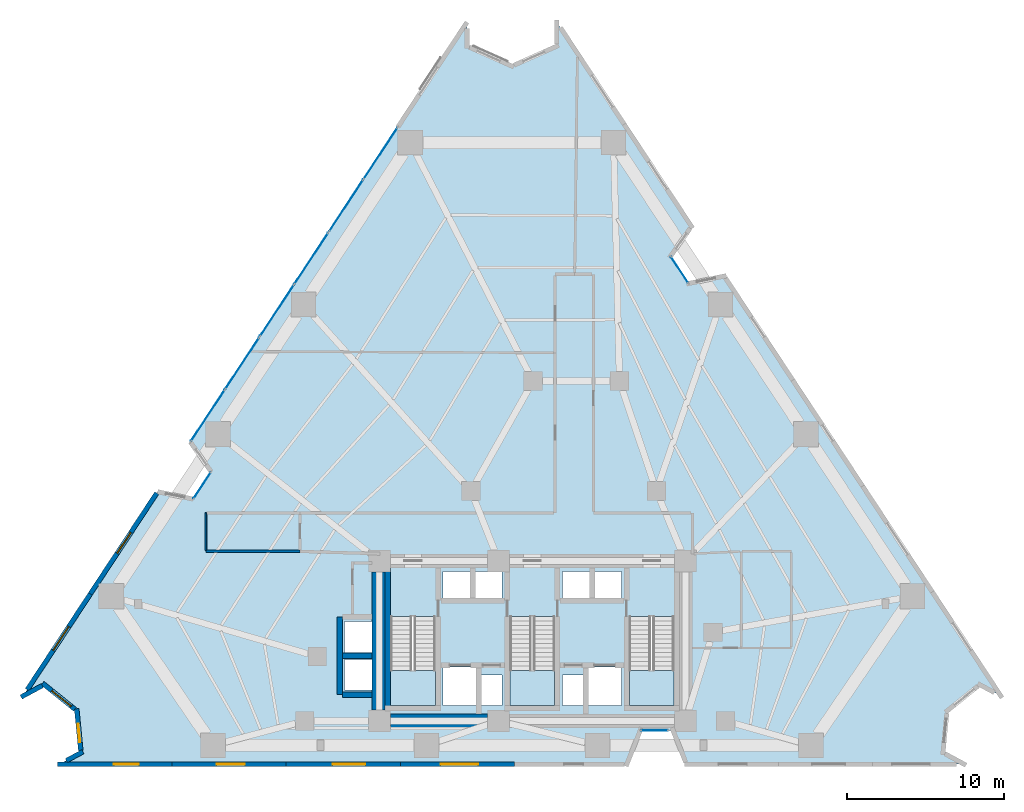
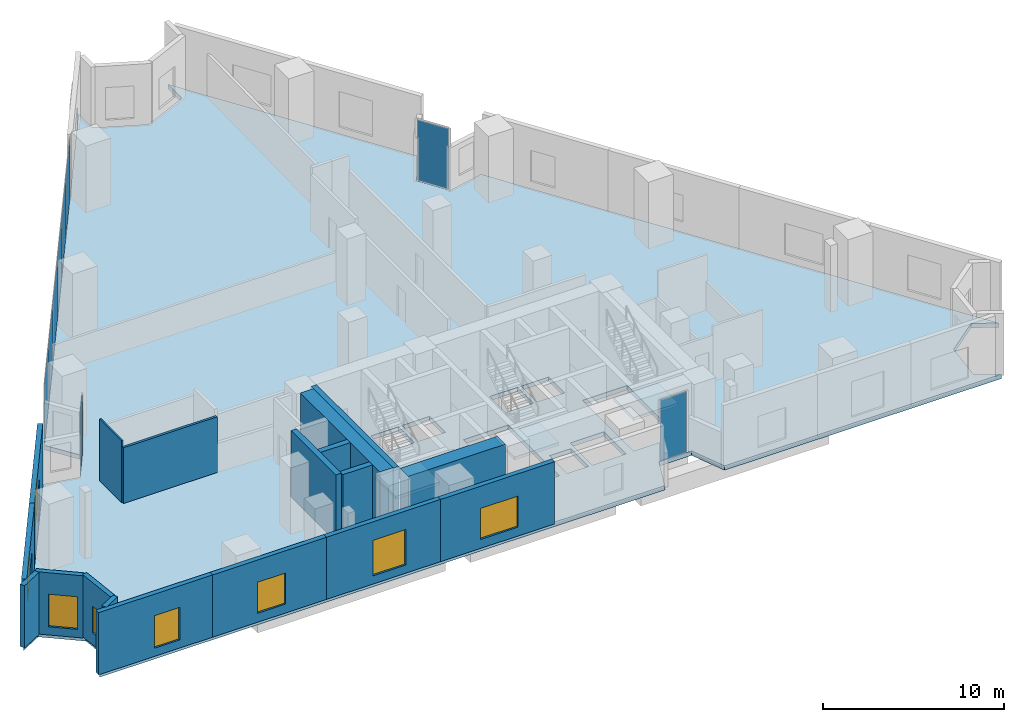
# One storey, part 6 of 11: 18 walls, 9 plates, 8 windows, 4 slabs, 8 openings, 9 elements without a shape of their own.
"""IFC4 building model written with IfcOpenShell, lengths in metres."""

from ifc_helpers import new_model, si_unit, direction, frame, frame_2d, origin, origin_2d, place, context, subcontext, project, spatial, polyline, rectangle, outline, extrude, material, layer, layer_set, type_object, element, fill, aggregate, save


model = new_model("IFC4")

# Units and contexts
model_context = context("Model", 3, precision=1e-05, world=origin(), true_north=direction((0.0, 1.0)))
body_context = subcontext(model_context, "Body", "Model", "MODEL_VIEW")
ifc_project = project(units=[si_unit("LENGTHUNIT", "METRE"), si_unit("AREAUNIT", "SQUARE_METRE"), si_unit("VOLUMEUNIT", "CUBIC_METRE"), si_unit("PLANEANGLEUNIT", "RADIAN"), si_unit("MASSUNIT", "GRAM", prefix="KILO")], contexts=[model_context])

# Site, building, storey
site_placement = place(None, origin())
site = spatial("IfcSite", under=ifc_project, at=site_placement, CompositionType="ELEMENT")
building_placement = place(site_placement, origin())
building = spatial("IfcBuilding", under=site, at=building_placement, Name="Almagre Mirador Tower", CompositionType="ELEMENT")
storey_placement = place(building_placement, frame((0.0, 0.0, 21.89990234375)))
storey = spatial("IfcBuildingStorey", under=building, at=storey_placement, Name="L04", CompositionType="ELEMENT", Elevation=21.89990234375)

# Curtain wall, plate
ifc_material_1 = material(Name="Black anodized aluminium", Category="aluminium")
ifc_layer_1 = layer(ifc_material_1, 0.169921875)
ifc_layer_set_1 = layer_set([ifc_layer_1], Name="Black anodized aluminium")
curtain_wall_type_1 = type_object("IfcCurtainWallType", Name="CW-CRS-SYS", PredefinedType="NOTDEFINED", material=ifc_layer_set_1)
curtain_wall_1_placement = place(storey_placement, origin())
curtain_wall_1 = element("IfcCurtainWall", 1, at=curtain_wall_1_placement, inside=storey, type_object=curtain_wall_type_1, Name="L04 vertical crease curtain wall 01", PredefinedType="NOTDEFINED")
ifc_material_2 = material(Name="Dark solar-control laminated hurricane glass", Category="glass")
ifc_layer_2 = layer(ifc_material_2, 0.028076171875)
ifc_layer_set_2 = layer_set([ifc_layer_2], Name="Dark solar-control laminated hurricane glass")
plate_type_1 = type_object("IfcPlateType", Name="PLT-GLZ-28", PredefinedType="CURTAIN_PANEL", material=ifc_layer_set_2)
plate_1_placement = place(storey_placement, frame((16.27099609375, 19.550537109375, 0.06005859375), z_axis=(0.0, 0.0, 1.0), x_axis=(0.550275453725, 0.83498318847, 0.0)))
plate_1 = element("IfcPlate", 2, at=plate_1_placement, type_object=plate_type_1, Name="CW-4 panel 1.1", PredefinedType="CURTAIN_PANEL", context=body_context, shape_type="SweptSolid", body=[
    extrude(rectangle(XDim=1.969970703125, YDim=0.028076171875, at=origin_2d()), origin(), (0.0, 0.0, 1.0), 4.080078125),
])
aggregate(curtain_wall_1, [plate_1])

curtain_wall_2_placement = place(storey_placement, origin())
curtain_wall_2 = element("IfcCurtainWall", 3, at=curtain_wall_2_placement, inside=storey, type_object=curtain_wall_type_1, Name="L04 vertical crease curtain wall 05", PredefinedType="NOTDEFINED")
plate_2_placement = place(storey_placement, frame((46.679931640625, 33.283447265625, 0.06005859375), z_axis=(0.0, 0.0, 1.0), x_axis=(0.550275453725, -0.83498318847, 0.0)))
plate_2 = element("IfcPlate", 4, at=plate_2_placement, type_object=plate_type_1, Name="CW-4 panel 1.1", PredefinedType="CURTAIN_PANEL", context=body_context, shape_type="SweptSolid", body=[
    extrude(rectangle(XDim=1.969970703125, YDim=0.028076171875, at=origin_2d()), origin(), (0.0, 0.0, 1.0), 4.080078125),
])
aggregate(curtain_wall_2, [plate_2])

curtain_wall_3_placement = place(storey_placement, origin())
curtain_wall_3 = element("IfcCurtainWall", 5, at=curtain_wall_3_placement, inside=storey, type_object=curtain_wall_type_1, Name="L04 vertical crease curtain wall 06", PredefinedType="NOTDEFINED")
plate_3_placement = place(storey_placement, frame((45.08056640625, 3.949951171875, 0.06005859375), z_axis=(0.0, 0.0, 1.0), x_axis=(-1.0, 0.0, 0.0)))
plate_3 = element("IfcPlate", 6, at=plate_3_placement, type_object=plate_type_1, Name="CW-4 panel 1.1", PredefinedType="CURTAIN_PANEL", context=body_context, shape_type="SweptSolid", body=[
    extrude(rectangle(XDim=1.698974609375, YDim=0.028076171875, at=origin_2d()), origin(), (0.0, 0.0, 1.0), 4.080078125),
])
aggregate(curtain_wall_3, [plate_3])

# Curtain wall, plates
ifc_material_3 = material(Name="Black anodized aluminium", Category="aluminium")
ifc_layer_3 = layer(ifc_material_3, 0.219970703125)
ifc_layer_set_3 = layer_set([ifc_layer_3], Name="Black anodized aluminium")
curtain_wall_type_2 = type_object("IfcCurtainWallType", Name="CW-POD-SYS", PredefinedType="NOTDEFINED", material=ifc_layer_set_3)
curtain_wall_4_placement = place(storey_placement, origin())
curtain_wall_4 = element("IfcCurtainWall", 7, at=curtain_wall_4_placement, inside=storey, type_object=curtain_wall_type_2, Name="L04 curtain wall run 02", PredefinedType="NOTDEFINED")
ifc_material_4 = material(Name="Dark solar-control laminated hurricane glass", Category="glass")
ifc_layer_4 = layer(ifc_material_4, 0.035888671875)
ifc_layer_set_4 = layer_set([ifc_layer_4], Name="Dark solar-control laminated hurricane glass")
plate_type_2 = type_object("IfcPlateType", Name="PLT-GLZ-36", PredefinedType="CURTAIN_PANEL", material=ifc_layer_set_4)
plate_4_placement = place(storey_placement, frame((16.6318359375, 24.005859375, 0.06494140625), z_axis=(0.0, 0.0, 1.0), x_axis=(0.550209445439, 0.835026685891, 0.0)))
plate_4 = element("IfcPlate", 8, at=plate_4_placement, type_object=plate_type_2, Name="CW-1 panel 1.1", PredefinedType="CURTAIN_PANEL", context=body_context, shape_type="SweptSolid", body=[
    extrude(rectangle(XDim=3.8974609375, YDim=0.035888671875, at=origin_2d()), origin(), (0.0, 0.0, 1.0), 4.070068359375),
])
plate_5_placement = place(storey_placement, frame((18.814697265625, 27.31884765625, 0.06494140625), z_axis=(0.0, 0.0, 1.0), x_axis=(0.550209445439, 0.835026685891, 0.0)))
plate_5 = element("IfcPlate", 9, at=plate_5_placement, type_object=plate_type_2, Name="CW-1 panel 2.1", PredefinedType="CURTAIN_PANEL", context=body_context, shape_type="SweptSolid", body=[
    extrude(rectangle(XDim=3.8974609375, YDim=0.035888671875, at=origin_2d()), origin(), (0.0, 0.0, 1.0), 4.070068359375),
])
aggregate(curtain_wall_4, [plate_4, plate_5])

curtain_wall_5_placement = place(storey_placement, origin())
curtain_wall_5 = element("IfcCurtainWall", 10, at=curtain_wall_5_placement, inside=storey, type_object=curtain_wall_type_2, Name="L04 curtain wall run 03", PredefinedType="NOTDEFINED")
plate_6_placement = place(storey_placement, frame((21.0361328125, 30.690185546875, 0.06494140625), z_axis=(0.0, 0.0, 1.0), x_axis=(0.550209445439, 0.835026685891, 0.0)))
plate_6 = element("IfcPlate", 11, at=plate_6_placement, type_object=plate_type_2, Name="CW-1 panel 1.1", PredefinedType="CURTAIN_PANEL", context=body_context, shape_type="SweptSolid", body=[
    extrude(rectangle(XDim=3.8974609375, YDim=0.035888671875, at=origin_2d()), origin(), (0.0, 0.0, 1.0), 4.070068359375),
])
plate_7_placement = place(storey_placement, frame((23.21923828125, 34.003173828125, 0.06494140625), z_axis=(0.0, 0.0, 1.0), x_axis=(0.550209445439, 0.835026685891, 0.0)))
plate_7 = element("IfcPlate", 12, at=plate_7_placement, type_object=plate_type_2, Name="CW-1 panel 2.1", PredefinedType="CURTAIN_PANEL", context=body_context, shape_type="SweptSolid", body=[
    extrude(rectangle(XDim=3.8974609375, YDim=0.035888671875, at=origin_2d()), origin(), (0.0, 0.0, 1.0), 4.070068359375),
])
aggregate(curtain_wall_5, [plate_6, plate_7])

curtain_wall_6_placement = place(storey_placement, origin())
curtain_wall_6 = element("IfcCurtainWall", 13, at=curtain_wall_6_placement, inside=storey, type_object=curtain_wall_type_2, Name="L04 curtain wall run 04", PredefinedType="NOTDEFINED")
plate_8_placement = place(storey_placement, frame((25.440673828125, 37.374755859375, 0.06494140625), z_axis=(0.0, 0.0, 1.0), x_axis=(0.550209445439, 0.835026685891, 0.0)))
plate_8 = element("IfcPlate", 14, at=plate_8_placement, type_object=plate_type_2, Name="CW-1 panel 1.1", PredefinedType="CURTAIN_PANEL", context=body_context, shape_type="SweptSolid", body=[
    extrude(rectangle(XDim=3.8974609375, YDim=0.035888671875, at=origin_2d()), origin(), (0.0, 0.0, 1.0), 4.070068359375),
])
plate_9_placement = place(storey_placement, frame((27.623779296875, 40.687744140625, 0.06494140625), z_axis=(0.0, 0.0, 1.0), x_axis=(0.550209445439, 0.835026685891, 0.0)))
plate_9 = element("IfcPlate", 15, at=plate_9_placement, type_object=plate_type_2, Name="CW-1 panel 2.1", PredefinedType="CURTAIN_PANEL", context=body_context, shape_type="SweptSolid", body=[
    extrude(rectangle(XDim=3.8974609375, YDim=0.035888671875, at=origin_2d()), origin(), (0.0, 0.0, 1.0), 4.070068359375),
])
aggregate(curtain_wall_6, [plate_8, plate_9])

# Slab
ifc_material_5 = material(Name="Concrete C45/55", Category="concrete")
ifc_layer_5 = layer(ifc_material_5, 0.300048828125)
ifc_layer_set_5 = layer_set([ifc_layer_5], Name="Concrete C45/55")
slab_type_1 = type_object("IfcSlabType", Name="SLB-FLR-300", PredefinedType="FLOOR", material=ifc_layer_set_5)
slab_1_placement = place(storey_placement, frame((0.0, 0.0, -0.2998046875)))
element("IfcSlab", 16, at=slab_1_placement, inside=storey, type_object=slab_type_1, Name="L04 structural floor slab", PredefinedType="FLOOR", context=body_context, shape_type="SweptSolid", body=[
    extrude(outline(polyline([(4.861083984375, 6.14208984375), (6.2080078125, 6.867919921875), (8.2900390625, 5.18798828125), (8.547119140625, 2.52587890625), (7.199951171875, 1.800048828125), (43.31591796875, 1.800048828125), (44.1708984375, 3.949951171875), (46.260986328125, 3.949951171875), (47.115966796875, 1.800048828125), (64.800048828125, 1.800048828125), (63.452880859375, 2.52587890625), (63.7099609375, 5.18798828125), (65.7919921875, 6.867919921875), (67.138916015625, 6.14208984375), (49.52099609375, 32.8798828125), (47.2548828125, 32.410888671875), (46.10498046875, 34.156005859375), (47.429931640625, 36.052978515625), (38.861083984375, 49.05810546875), (38.861083984375, 47.528076171875), (36.0, 46.256103515625), (33.138916015625, 47.528076171875), (33.138916015625, 49.05810546875), (15.52099609375, 22.320068359375), (16.845947265625, 20.423095703125), (15.696044921875, 18.677978515625), (13.429931640625, 19.14697265625), (4.861083984375, 6.14208984375)]), holes=[polyline([(43.47509765625, 11.196044921875), (46.324951171875, 11.196044921875), (46.324951171875, 5.550048828125), (43.47509765625, 5.550048828125), (43.47509765625, 11.196044921875)]), polyline([(40.820068359375, 5.52001953125), (40.820068359375, 7.97998046875), (42.97998046875, 7.97998046875), (42.97998046875, 5.52001953125), (40.820068359375, 5.52001953125)]), polyline([(41.219970703125, 12.320068359375), (41.219970703125, 14.080078125), (42.97998046875, 14.080078125), (42.97998046875, 12.320068359375), (41.219970703125, 12.320068359375)]), polyline([(39.219970703125, 12.320068359375), (39.219970703125, 14.080078125), (40.97998046875, 14.080078125), (40.97998046875, 12.320068359375), (39.219970703125, 12.320068359375)]), polyline([(39.219970703125, 5.52001953125), (39.219970703125, 7.47998046875), (40.580078125, 7.47998046875), (40.580078125, 5.52001953125), (39.219970703125, 5.52001953125)]), polyline([(35.875, 11.196044921875), (38.72509765625, 11.196044921875), (38.72509765625, 5.550048828125), (35.875, 5.550048828125), (35.875, 11.196044921875)]), polyline([(35.3798828125, 5.52001953125), (34.02001953125, 5.52001953125), (34.02001953125, 7.47998046875), (35.3798828125, 7.47998046875), (35.3798828125, 5.52001953125)]), polyline([(35.3798828125, 12.320068359375), (33.6201171875, 12.320068359375), (33.6201171875, 14.080078125), (35.3798828125, 14.080078125), (35.3798828125, 12.320068359375)]), polyline([(31.6201171875, 5.52001953125), (31.6201171875, 7.97998046875), (33.780029296875, 7.97998046875), (33.780029296875, 5.52001953125), (31.6201171875, 5.52001953125)]), polyline([(31.6201171875, 12.320068359375), (31.6201171875, 14.080078125), (33.3798828125, 14.080078125), (33.3798828125, 12.320068359375), (31.6201171875, 12.320068359375)]), polyline([(28.27490234375, 5.550048828125), (28.27490234375, 11.196044921875), (31.125, 11.196044921875), (31.125, 5.550048828125), (28.27490234375, 5.550048828125)]), polyline([(25.320068359375, 6.52001953125), (25.320068359375, 8.47998046875), (27.3798828125, 8.47998046875), (27.3798828125, 6.52001953125), (25.320068359375, 6.52001953125)]), polyline([(25.320068359375, 8.919921875), (25.320068359375, 10.8798828125), (27.3798828125, 10.8798828125), (27.3798828125, 8.919921875), (25.320068359375, 8.919921875)])]), origin(), (0.0, 0.0, 1.0), 0.2998046875),
])

# Stair, slab
ifc_material_6 = material(Name="Concrete C45/55", Category="concrete")
stair_type = type_object("IfcStairType", Name="STR-DL-4500", PredefinedType="HALF_TURN_STAIR", material=ifc_material_6)
stair_1_placement = place(storey_placement, origin())
stair_1 = element("IfcStair", 17, at=stair_1_placement, inside=storey, type_object=stair_type, Name="L04 Protected exit stair ST-1", PredefinedType="HALF_TURN_STAIR")
ifc_material_7 = material(Name="Concrete C45/55", Category="concrete")
ifc_layer_6 = layer(ifc_material_7, 0.199951171875)
ifc_layer_set_6 = layer_set([ifc_layer_6], Name="Concrete C45/55")
slab_type_2 = type_object("IfcSlabType", Name="SLB-LND-200", PredefinedType="LANDING", material=ifc_layer_set_6)
slab_2_placement = place(storey_placement, frame((0.0, 0.0, 2.050048828125)))
slab_2 = element("IfcSlab", 18, at=slab_2_placement, type_object=slab_type_2, Name="ST-1 landing 1", PredefinedType="LANDING", context=body_context, shape_type="SweptSolid", body=[
    extrude(outline(polyline([(28.27490234375, 7.780029296875), (28.27490234375, 5.550048828125), (31.125, 5.550048828125), (31.125, 7.780029296875), (28.27490234375, 7.780029296875)])), origin(), (0.0, 0.0, 1.0), 0.199951171875),
])
aggregate(stair_1, [slab_2])

stair_2_placement = place(storey_placement, origin())
stair_2 = element("IfcStair", 19, at=stair_2_placement, inside=storey, type_object=stair_type, Name="L04 Protected exit stair ST-2", PredefinedType="HALF_TURN_STAIR")
slab_3_placement = place(storey_placement, frame((0.0, 0.0, 2.050048828125)))
slab_3 = element("IfcSlab", 20, at=slab_3_placement, type_object=slab_type_2, Name="ST-2 landing 1", PredefinedType="LANDING", context=body_context, shape_type="SweptSolid", body=[
    extrude(outline(polyline([(35.875, 7.780029296875), (35.875, 5.550048828125), (38.72509765625, 5.550048828125), (38.72509765625, 7.780029296875), (35.875, 7.780029296875)])), origin(), (0.0, 0.0, 1.0), 0.199951171875),
])
aggregate(stair_2, [slab_3])

stair_3_placement = place(storey_placement, origin())
stair_3 = element("IfcStair", 21, at=stair_3_placement, inside=storey, type_object=stair_type, Name="L04 Protected exit stair ST-3", PredefinedType="HALF_TURN_STAIR")
slab_4_placement = place(storey_placement, frame((0.0, 0.0, 2.050048828125)))
slab_4 = element("IfcSlab", 22, at=slab_4_placement, type_object=slab_type_2, Name="ST-3 landing 1", PredefinedType="LANDING", context=body_context, shape_type="SweptSolid", body=[
    extrude(outline(polyline([(43.47509765625, 7.780029296875), (43.47509765625, 5.550048828125), (46.324951171875, 5.550048828125), (46.324951171875, 7.780029296875), (43.47509765625, 7.780029296875)])), origin(), (0.0, 0.0, 1.0), 0.199951171875),
])
aggregate(stair_3, [slab_4])

# Wall, opening, window
ifc_material_8 = material(Name="Precast concrete C50/60", Category="concrete")
ifc_layer_7 = layer(ifc_material_8, 0.300048828125)
ifc_layer_set_7 = layer_set([ifc_layer_7], Name="Precast concrete C50/60")
wall_type_1 = type_object("IfcWallType", Name="WAL-EXT-300", PredefinedType="SOLIDWALL", material=ifc_layer_set_7)
wall_1_placement = place(storey_placement, frame((36.1767578125, 1.800048828125, 0.0), z_axis=(0.0, 0.0, 1.0), x_axis=(-1.0, 0.0, 0.0)))
wall_1 = element("IfcWall", 23, at=wall_1_placement, inside=storey, type_object=wall_type_1, Name="L04 expressed almagre precast frame wall 26", PredefinedType="SOLIDWALL", context=body_context, shape_type="SweptSolid", body=[
    extrude(rectangle(XDim=7.279052734375, YDim=0.300048828125, at=frame_2d((3.6396484375, 0.0))), origin(), (0.0, 0.0, 1.0), 4.2001953125),
])
opening_1_placement = place(wall_1_placement, frame((2.324951171875, 0.0, 0.60009765625)))
opening_1 = element("IfcOpeningElement", 24, at=opening_1_placement, cuts=wall_1, Name="Opening WN-02", PredefinedType="OPENING", context=body_context, shape_type="SweptSolid", body=[
    extrude(rectangle(XDim=2.39990234375, YDim=2.10009765625, at=frame_2d((1.199951171875, 1.050048828125))), frame((0.0, 0.159902, 0.0), z_axis=(0.0, -1.0, 0.0), x_axis=(1.0, 0.0, 0.0)), (0.0, 0.0, 1.0), 0.320049),
])
ifc_material_9 = material(Name="Dark solar-control laminated hurricane glass", Category="glass")
window_type_1 = type_object("IfcWindowType", Name="WIN-2400X2100", PartitioningType="TRIPLE_PANEL_VERTICAL", PredefinedType="WINDOW", material=ifc_material_9)
window_1_placement = place(opening_1_placement, origin())
window_1 = element("IfcWindow", 25, at=window_1_placement, inside=storey, type_object=window_type_1, Name="L04 recessed hurricane window L04-LIB-2", OverallHeight=2.10009765625, OverallWidth=2.39990234375, PartitioningType="SINGLE_PANEL", PredefinedType="WINDOW", context=body_context, shape_type="SweptSolid", body=[
    extrude(rectangle(XDim=2.39990234375, YDim=2.10009765625, at=frame_2d((1.199951171875, 1.050048828125))), frame((0.0, 0.030029296875, 0.0), z_axis=(0.0, -1.0, 0.0), x_axis=(1.0, 0.0, 0.0)), (0.0, 0.0, 1.0), 0.06005859375),
])
fill(opening_1, window_1)

wall_2_placement = place(storey_placement, frame((28.897705078125, 1.800048828125, 0.0), z_axis=(0.0, 0.0, 1.0), x_axis=(-1.0, 0.0, 0.0)))
wall_2 = element("IfcWall", 26, at=wall_2_placement, inside=storey, type_object=wall_type_1, Name="L04 expressed almagre precast frame wall 27", PredefinedType="SOLIDWALL", context=body_context, shape_type="SweptSolid", body=[
    extrude(rectangle(XDim=7.279296875, YDim=0.300048828125, at=frame_2d((3.6396484375, 0.0))), origin(), (0.0, 0.0, 1.0), 4.2001953125),
])
opening_2_placement = place(wall_2_placement, frame((2.22509765625, 0.0, 0.550048828125)))
opening_2 = element("IfcOpeningElement", 27, at=opening_2_placement, cuts=wall_2, Name="Opening WN-05", PredefinedType="OPENING", context=body_context, shape_type="SweptSolid", body=[
    extrude(rectangle(XDim=2.10009765625, YDim=2.39990234375, at=frame_2d((1.050048828125, 1.199951171875))), frame((0.0, 0.159902, 0.0), z_axis=(0.0, -1.0, 0.0), x_axis=(1.0, 0.0, 0.0)), (0.0, 0.0, 1.0), 0.320049),
])
ifc_material_10 = material(Name="Dark solar-control laminated hurricane glass", Category="glass")
window_type_2 = type_object("IfcWindowType", Name="WIN-2100X2400", PartitioningType="DOUBLE_PANEL_VERTICAL", PredefinedType="WINDOW", material=ifc_material_10)
window_2_placement = place(opening_2_placement, origin())
window_2 = element("IfcWindow", 28, at=window_2_placement, inside=storey, type_object=window_type_2, Name="L04 recessed hurricane window L04-LIB-2", OverallHeight=2.39990234375, OverallWidth=2.10009765625, PartitioningType="SINGLE_PANEL", PredefinedType="WINDOW", context=body_context, shape_type="SweptSolid", body=[
    extrude(rectangle(XDim=2.10009765625, YDim=2.39990234375, at=frame_2d((1.050048828125, 1.199951171875))), frame((0.0, 0.030029296875, 0.0), z_axis=(0.0, -1.0, 0.0), x_axis=(1.0, 0.0, 0.0)), (0.0, 0.0, 1.0), 0.06005859375),
])
fill(opening_2, window_2)

wall_3_placement = place(storey_placement, frame((21.618408203125, 1.800048828125, 0.0), z_axis=(0.0, 0.0, 1.0), x_axis=(-1.0, 0.0, 0.0)))
wall_3 = element("IfcWall", 29, at=wall_3_placement, inside=storey, type_object=wall_type_1, Name="L04 expressed almagre precast frame wall 28", PredefinedType="SOLIDWALL", context=body_context, shape_type="SweptSolid", body=[
    extrude(rectangle(XDim=7.279296875, YDim=0.300048828125, at=frame_2d((3.6396484375, 0.0))), origin(), (0.0, 0.0, 1.0), 4.2001953125),
])
opening_3_placement = place(wall_3_placement, frame((2.625, 0.0, 0.60009765625)))
opening_3 = element("IfcOpeningElement", 30, at=opening_3_placement, cuts=wall_3, Name="Opening WN-01", PredefinedType="OPENING", context=body_context, shape_type="SweptSolid", body=[
    extrude(rectangle(XDim=1.800048828125, YDim=2.10009765625, at=frame_2d((0.89990234375, 1.050048828125))), frame((0.0, 0.159902, 0.0), z_axis=(0.0, -1.0, 0.0), x_axis=(1.0, 0.0, 0.0)), (0.0, 0.0, 1.0), 0.320049),
])
ifc_material_11 = material(Name="Dark solar-control laminated hurricane glass", Category="glass")
window_type_3 = type_object("IfcWindowType", Name="WIN-1800X2100", PartitioningType="DOUBLE_PANEL_VERTICAL", PredefinedType="WINDOW", material=ifc_material_11)
window_3_placement = place(opening_3_placement, origin())
window_3 = element("IfcWindow", 31, at=window_3_placement, inside=storey, type_object=window_type_3, Name="L04 recessed hurricane window L04-STE-3", OverallHeight=2.10009765625, OverallWidth=1.800048828125, PartitioningType="SINGLE_PANEL", PredefinedType="WINDOW", context=body_context, shape_type="SweptSolid", body=[
    extrude(rectangle(XDim=1.800048828125, YDim=2.10009765625, at=frame_2d((0.89990234375, 1.050048828125))), frame((0.0, 0.030029296875, 0.0), z_axis=(0.0, -1.0, 0.0), x_axis=(1.0, 0.0, 0.0)), (0.0, 0.0, 1.0), 0.06005859375),
])
fill(opening_3, window_3)

wall_4_placement = place(storey_placement, frame((14.339111328125, 1.800048828125, 0.0), z_axis=(0.0, 0.0, 1.0), x_axis=(-1.0, 0.0, 0.0)))
wall_4 = element("IfcWall", 32, at=wall_4_placement, inside=storey, type_object=wall_type_1, Name="L04 expressed almagre precast frame wall 29", PredefinedType="SOLIDWALL", context=body_context, shape_type="SweptSolid", body=[
    extrude(rectangle(XDim=7.279052734375, YDim=0.300048828125, at=frame_2d((3.6396484375, 0.0))), origin(), (0.0, 0.0, 1.0), 4.2001953125),
])
opening_4_placement = place(wall_4_placement, frame((2.10009765625, 0.0, 0.550048828125)))
opening_4 = element("IfcOpeningElement", 33, at=opening_4_placement, cuts=wall_4, Name="Opening WN-06", PredefinedType="OPENING", context=body_context, shape_type="SweptSolid", body=[
    extrude(rectangle(XDim=1.60009765625, YDim=2.199951171875, at=frame_2d((0.800048828125, 1.10009765625))), frame((0.0, 0.159902, 0.0), z_axis=(0.0, -1.0, 0.0), x_axis=(1.0, 0.0, 0.0)), (0.0, 0.0, 1.0), 0.320049),
])
ifc_material_12 = material(Name="Dark solar-control laminated hurricane glass", Category="glass")
window_type_4 = type_object("IfcWindowType", Name="WIN-1600X2200", PartitioningType="DOUBLE_PANEL_VERTICAL", PredefinedType="WINDOW", material=ifc_material_12)
window_4_placement = place(opening_4_placement, origin())
window_4 = element("IfcWindow", 34, at=window_4_placement, inside=storey, type_object=window_type_4, Name="L04 recessed hurricane window L04-STE-3", OverallHeight=2.199951171875, OverallWidth=1.60009765625, PartitioningType="SINGLE_PANEL", PredefinedType="WINDOW", context=body_context, shape_type="SweptSolid", body=[
    extrude(rectangle(XDim=1.60009765625, YDim=2.199951171875, at=frame_2d((0.800048828125, 1.10009765625))), frame((0.0, 0.030029296875, 0.0), z_axis=(0.0, -1.0, 0.0), x_axis=(1.0, 0.0, 0.0)), (0.0, 0.0, 1.0), 0.06005859375),
])
fill(opening_4, window_4)

# Wall
wall_5_placement = place(storey_placement, frame((7.62255859375, 2.02783203125, 0.0), z_axis=(0.0, 0.0, 1.0), x_axis=(0.880345902198, 0.474332259586, 0.0)))
element("IfcWall", 35, at=wall_5_placement, inside=storey, type_object=wall_type_1, Name="L04 expressed almagre precast frame wall 30", PredefinedType="SOLIDWALL", context=body_context, shape_type="SweptSolid", body=[
    extrude(rectangle(XDim=1.18994140625, YDim=0.300048828125, at=frame_2d((0.594970703125, 0.0))), origin(), (0.0, 0.0, 1.0), 4.2001953125),
])

# Wall, opening, window
wall_6_placement = place(storey_placement, frame((8.5341796875, 2.660400390625, 0.0), z_axis=(0.0, 0.0, 1.0), x_axis=(-0.096129088581, 0.995368875507, 0.0)))
wall_6 = element("IfcWall", 36, at=wall_6_placement, inside=storey, type_object=wall_type_1, Name="L04 expressed almagre precast frame wall 31", PredefinedType="SOLIDWALL", context=body_context, shape_type="SweptSolid", body=[
    extrude(rectangle(XDim=2.679443359375, YDim=0.300048828125, at=frame_2d((1.33984375, 0.0))), origin(), (0.0, 0.0, 1.0), 4.2001953125),
])
opening_5_placement = place(wall_6_placement, frame((0.52490234375, 0.0, 0.800048828125)))
opening_5 = element("IfcOpeningElement", 37, at=opening_5_placement, cuts=wall_6, Name="Opening WN-04", PredefinedType="OPENING", context=body_context, shape_type="SweptSolid", body=[
    extrude(rectangle(XDim=1.199951171875, YDim=1.800048828125, at=frame_2d((0.60009765625, 0.89990234375))), frame((0.0, 0.159902, 0.0), z_axis=(0.0, -1.0, 0.0), x_axis=(1.0, 0.0, 0.0)), (0.0, 0.0, 1.0), 0.320049),
])
ifc_material_13 = material(Name="Dark solar-control laminated hurricane glass", Category="glass")
window_type_5 = type_object("IfcWindowType", Name="WIN-1200X1800", PartitioningType="SINGLE_PANEL", PredefinedType="WINDOW", material=ifc_material_13)
window_5_placement = place(opening_5_placement, origin())
window_5 = element("IfcWindow", 38, at=window_5_placement, inside=storey, type_object=window_type_5, Name="L04 recessed hurricane window L04-STE-3", OverallHeight=1.800048828125, OverallWidth=1.199951171875, PartitioningType="SINGLE_PANEL", PredefinedType="WINDOW", context=body_context, shape_type="SweptSolid", body=[
    extrude(rectangle(XDim=1.199951171875, YDim=1.800048828125, at=frame_2d((0.60009765625, 0.89990234375))), frame((0.0, 0.030029296875, 0.0), z_axis=(0.0, -1.0, 0.0), x_axis=(1.0, 0.0, 0.0)), (0.0, 0.0, 1.0), 0.06005859375),
])
fill(opening_5, window_5)

wall_7_placement = place(storey_placement, frame((8.17333984375, 5.2822265625, 0.0), z_axis=(0.0, 0.0, 1.0), x_axis=(-0.778261403538, 0.627940433292, 0.0)))
wall_7 = element("IfcWall", 39, at=wall_7_placement, inside=storey, type_object=wall_type_1, Name="L04 expressed almagre precast frame wall 32", PredefinedType="SOLIDWALL", context=body_context, shape_type="SweptSolid", body=[
    extrude(rectangle(XDim=2.665283203125, YDim=0.300048828125, at=frame_2d((1.33251953125, 0.0))), origin(), (0.0, 0.0, 1.0), 4.2001953125),
])
opening_6_placement = place(wall_7_placement, frame((0.31005859375, 0.0, 0.550048828125)))
opening_6 = element("IfcOpeningElement", 40, at=opening_6_placement, cuts=wall_7, Name="Opening WN-06", PredefinedType="OPENING", context=body_context, shape_type="SweptSolid", body=[
    extrude(rectangle(XDim=1.60009765625, YDim=2.199951171875, at=frame_2d((0.800048828125, 1.10009765625))), frame((0.0, 0.159902, 0.0), z_axis=(0.0, -1.0, 0.0), x_axis=(1.0, 0.0, 0.0)), (0.0, 0.0, 1.0), 0.320049),
])
window_6_placement = place(opening_6_placement, origin())
window_6 = element("IfcWindow", 41, at=window_6_placement, inside=storey, type_object=window_type_4, Name="L04 recessed hurricane window L04-STE-3", OverallHeight=2.199951171875, OverallWidth=1.60009765625, PartitioningType="SINGLE_PANEL", PredefinedType="WINDOW", context=body_context, shape_type="SweptSolid", body=[
    extrude(rectangle(XDim=1.60009765625, YDim=2.199951171875, at=frame_2d((0.800048828125, 1.10009765625))), frame((0.0, 0.030029296875, 0.0), z_axis=(0.0, -1.0, 0.0), x_axis=(1.0, 0.0, 0.0)), (0.0, 0.0, 1.0), 0.06005859375),
])
fill(opening_6, window_6)

# Wall
wall_8_placement = place(storey_placement, frame((6.089111328125, 6.803955078125, 0.0), z_axis=(0.0, 0.0, 1.0), x_axis=(-0.880297407877, -0.47442225252, 0.0)))
element("IfcWall", 42, at=wall_8_placement, inside=storey, type_object=wall_type_1, Name="L04 expressed almagre precast frame wall 33", PredefinedType="SOLIDWALL", context=body_context, shape_type="SweptSolid", body=[
    extrude(rectangle(XDim=1.53515625, YDim=0.300048828125, at=frame_2d((0.767578125, 0.0))), origin(), (0.0, 0.0, 1.0), 4.2001953125),
])

# Wall, opening, window
wall_9_placement = place(storey_placement, frame((5.122314453125, 6.53857421875, 0.0), z_axis=(0.0, 0.0, 1.0), x_axis=(0.550200148215, 0.835032811873, 0.0)))
wall_9 = element("IfcWall", 43, at=wall_9_placement, inside=storey, type_object=wall_type_1, Name="L04 expressed almagre precast frame wall 34", PredefinedType="SOLIDWALL", context=body_context, shape_type="SweptSolid", body=[
    extrude(rectangle(XDim=7.312255859375, YDim=0.300048828125, at=frame_2d((3.65625, 0.0))), origin(), (0.0, 0.0, 1.0), 4.2001953125),
])
opening_7_placement = place(wall_9_placement, frame((3.010009765625, 0.0, 0.60009765625)))
opening_7 = element("IfcOpeningElement", 44, at=opening_7_placement, cuts=wall_9, Name="Opening WN-01", PredefinedType="OPENING", context=body_context, shape_type="SweptSolid", body=[
    extrude(rectangle(XDim=1.800048828125, YDim=2.10009765625, at=frame_2d((0.89990234375, 1.050048828125))), frame((0.0, 0.159902, 0.0), z_axis=(0.0, -1.0, 0.0), x_axis=(1.0, 0.0, 0.0)), (0.0, 0.0, 1.0), 0.320049),
])
window_7_placement = place(opening_7_placement, origin())
window_7 = element("IfcWindow", 45, at=window_7_placement, inside=storey, type_object=window_type_3, Name="L04 recessed hurricane window L04-STE-3", OverallHeight=2.10009765625, OverallWidth=1.800048828125, PartitioningType="SINGLE_PANEL", PredefinedType="WINDOW", context=body_context, shape_type="SweptSolid", body=[
    extrude(rectangle(XDim=1.800048828125, YDim=2.10009765625, at=frame_2d((0.89990234375, 1.050048828125))), frame((0.0, 0.030029296875, 0.0), z_axis=(0.0, -1.0, 0.0), x_axis=(1.0, 0.0, 0.0)), (0.0, 0.0, 1.0), 0.06005859375),
])
fill(opening_7, window_7)

wall_10_placement = place(storey_placement, frame((9.1455078125, 12.64453125, 0.0), z_axis=(0.0, 0.0, 1.0), x_axis=(0.550219882357, 0.835019808782, 0.0)))
wall_10 = element("IfcWall", 46, at=wall_10_placement, inside=storey, type_object=wall_type_1, Name="L04 expressed almagre precast frame wall 35", PredefinedType="SOLIDWALL", context=body_context, shape_type="SweptSolid", body=[
    extrude(rectangle(XDim=7.697021484375, YDim=0.300048828125, at=frame_2d((3.8486328125, 0.0))), origin(), (0.0, 0.0, 1.0), 4.2001953125),
])
opening_8_placement = place(wall_10_placement, frame((3.10009765625, 0.0, 0.550048828125)))
opening_8 = element("IfcOpeningElement", 47, at=opening_8_placement, cuts=wall_10, Name="Opening WN-06", PredefinedType="OPENING", context=body_context, shape_type="SweptSolid", body=[
    extrude(rectangle(XDim=1.60009765625, YDim=2.199951171875, at=frame_2d((0.800048828125, 1.10009765625))), frame((0.0, 0.159902, 0.0), z_axis=(0.0, -1.0, 0.0), x_axis=(1.0, 0.0, 0.0)), (0.0, 0.0, 1.0), 0.320049),
])
window_8_placement = place(opening_8_placement, origin())
window_8 = element("IfcWindow", 48, at=window_8_placement, inside=storey, type_object=window_type_4, Name="L04 recessed hurricane window L04-STE-3", OverallHeight=2.199951171875, OverallWidth=1.60009765625, PartitioningType="SINGLE_PANEL", PredefinedType="WINDOW", context=body_context, shape_type="SweptSolid", body=[
    extrude(rectangle(XDim=1.60009765625, YDim=2.199951171875, at=frame_2d((0.800048828125, 1.10009765625))), frame((0.0, 0.030029296875, 0.0), z_axis=(0.0, -1.0, 0.0), x_axis=(1.0, 0.0, 0.0)), (0.0, 0.0, 1.0), 0.06005859375),
])
fill(opening_8, window_8)

# Walls
ifc_material_14 = material(Name="Gypsum acoustic stud partition", Category="other")
ifc_layer_8 = layer(ifc_material_14, 0.10009765625)
ifc_layer_set_8 = layer_set([ifc_layer_8], Name="Gypsum acoustic stud partition")
wall_type_2 = type_object("IfcWallType", Name="WAL-PRT-100-CLS", PredefinedType="PARTITIONING", material=ifc_layer_set_8)
wall_11_placement = place(storey_placement, frame((16.5, 15.409912109375, 0.0), z_axis=(0.0, 0.0, 1.0), x_axis=(0.0, 1.0, 0.0)))
element("IfcWall", 49, at=wall_11_placement, inside=storey, type_object=wall_type_2, Name="L04 interior partition 020", PredefinedType="PARTITIONING", context=body_context, shape_type="SweptSolid", body=[
    extrude(rectangle(XDim=2.39013671875, YDim=0.10009765625, at=frame_2d((1.195068359375, 0.0))), origin(), (0.0, 0.0, 1.0), 4.2001953125),
])
ifc_material_15 = material(Name="Gypsum acoustic stud partition", Category="other")
ifc_layer_9 = layer(ifc_material_15, 0.14990234375)
ifc_layer_set_9 = layer_set([ifc_layer_9], Name="Gypsum acoustic stud partition")
wall_type_3 = type_object("IfcWallType", Name="WAL-PRT-150-STD", PredefinedType="PARTITIONING", material=ifc_layer_set_9)
wall_12_placement = place(storey_placement, frame((22.5, 15.35009765625, 0.0), z_axis=(0.0, 0.0, 1.0), x_axis=(-1.0, 0.0, 0.0)))
element("IfcWall", 50, at=wall_12_placement, inside=storey, type_object=wall_type_3, Name="L04 interior partition 019", PredefinedType="PARTITIONING", context=body_context, shape_type="SweptSolid", body=[
    extrude(rectangle(XDim=6.0, YDim=0.14990234375, at=frame_2d((3.0, 0.0))), origin(), (0.0, 0.0, 1.0), 3.760986328125),
])
ifc_material_16 = material(Name="Concrete C60/75", Category="concrete")
ifc_layer_10 = layer(ifc_material_16, 0.35009765625)
ifc_layer_set_10 = layer_set([ifc_layer_10], Name="Concrete C60/75")
wall_type_4 = type_object("IfcWallType", Name="WAL-SHF-350", PredefinedType="SOLIDWALL", material=ifc_layer_set_10)
wall_13_placement = place(storey_placement, frame((28.10009765625, 5.199951171875, 0.0), z_axis=(0.0, 0.0, 1.0), x_axis=(0.0, 1.0, 0.0)))
element("IfcWall", 51, at=wall_13_placement, inside=storey, type_object=wall_type_4, Name="L04 shaft wall ST1-W", PredefinedType="SOLIDWALL", context=body_context, shape_type="SweptSolid", body=[
    extrude(rectangle(XDim=9.10009765625, YDim=0.35009765625, at=frame_2d((4.550048828125, 0.0))), origin(), (0.0, 0.0, 1.0), 4.5),
])
wall_14_placement = place(storey_placement, frame((25.02490234375, 6.22509765625, 0.0), z_axis=(0.0, 0.0, 1.0), x_axis=(0.0, 1.0, 0.0)))
element("IfcWall", 52, at=wall_14_placement, inside=storey, type_object=wall_type_4, Name="L04 shaft wall OL-W", PredefinedType="SOLIDWALL", context=body_context, shape_type="SweptSolid", body=[
    extrude(rectangle(XDim=4.949951171875, YDim=0.35009765625, at=frame_2d((2.47509765625, 0.0))), origin(), (0.0, 0.0, 1.0), 4.5),
])
for number, where, z_axis, x_axis, name in (
    (53, (25.199951171875, 6.22509765625, 0.0), (0.0, 0.0, 1.0), (1.0, 0.0, 0.0), "L04 shaft wall OL-S"),
    (54, (25.199951171875, 8.699951171875, 0.0), (0.0, 0.0, 1.0), (1.0, 0.0, 0.0), "L04 shaft wall OL-M"),
):
    element("IfcWall", number, at=place(storey_placement, frame(where, z_axis=z_axis, x_axis=x_axis)), inside=storey, type_object=wall_type_4, Name=name, PredefinedType="SOLIDWALL", context=body_context, shape_type="SweptSolid", body=[
        extrude(rectangle(XDim=1.900146484375, YDim=0.35009765625, at=frame_2d((0.9501953125, 0.0))), origin(), (0.0, 0.0, 1.0), 4.5),
    ])
ifc_material_17 = material(Name="Concrete C70/85", Category="concrete")
ifc_layer_11 = layer(ifc_material_17, 0.89990234375)
ifc_layer_set_11 = layer_set([ifc_layer_11], Name="Concrete C70/85")
wall_type_5 = type_object("IfcWallType", Name="WAL-SHR-900", PredefinedType="SHEAR", material=ifc_layer_set_11)
wall_15_placement = place(storey_placement, frame((28.25, 4.550048828125, 0.0), z_axis=(0.0, 0.0, 1.0), x_axis=(1.0, 0.0, 0.0)))
element("IfcWall", 55, at=wall_15_placement, inside=storey, type_object=wall_type_5, Name="L04 core shear wall S1", PredefinedType="SHEAR", context=body_context, shape_type="SweptSolid", body=[
    extrude(rectangle(XDim=6.199951171875, YDim=0.89990234375, at=frame_2d((3.10009765625, 0.0))), origin(), (0.0, 0.0, 1.0), 4.5),
])
wall_16_placement = place(storey_placement, frame((27.550048828125, 5.25, 0.0), z_axis=(0.0, 0.0, 1.0), x_axis=(0.0, 1.0, 0.0)))
element("IfcWall", 56, at=wall_16_placement, inside=storey, type_object=wall_type_5, Name="L04 core shear wall W1", PredefinedType="SHEAR", context=body_context, shape_type="SweptSolid", body=[
    extrude(rectangle(XDim=8.800048828125, YDim=0.89990234375, at=frame_2d((4.39990234375, 0.0))), origin(), (0.0, 0.0, 1.0), 4.5),
])

save(model, "model.ifc")
